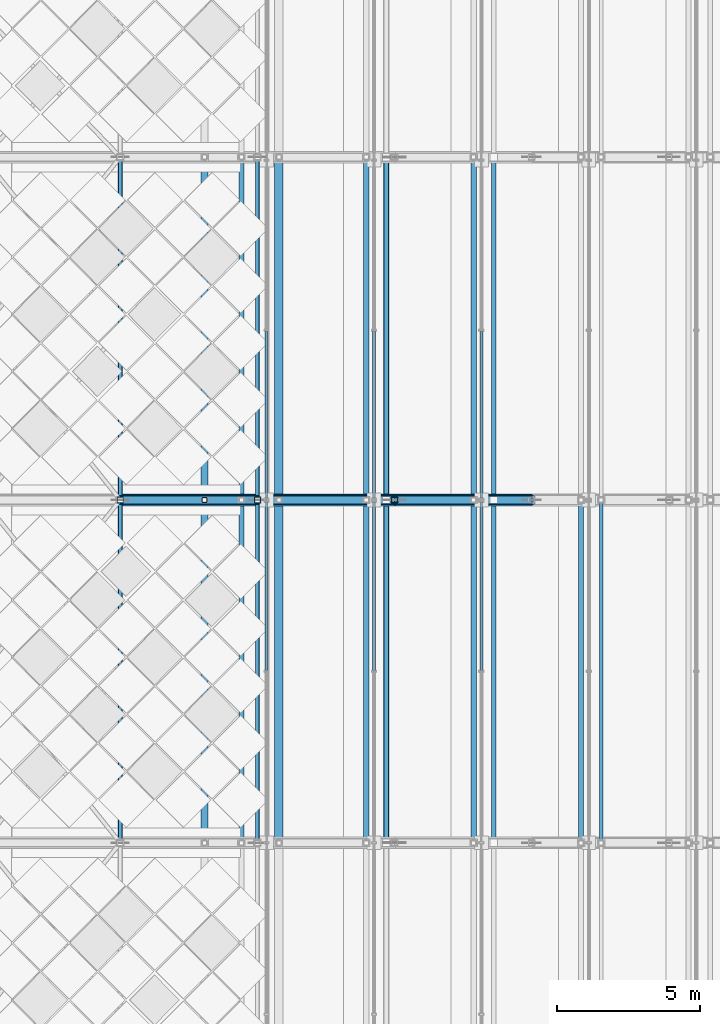
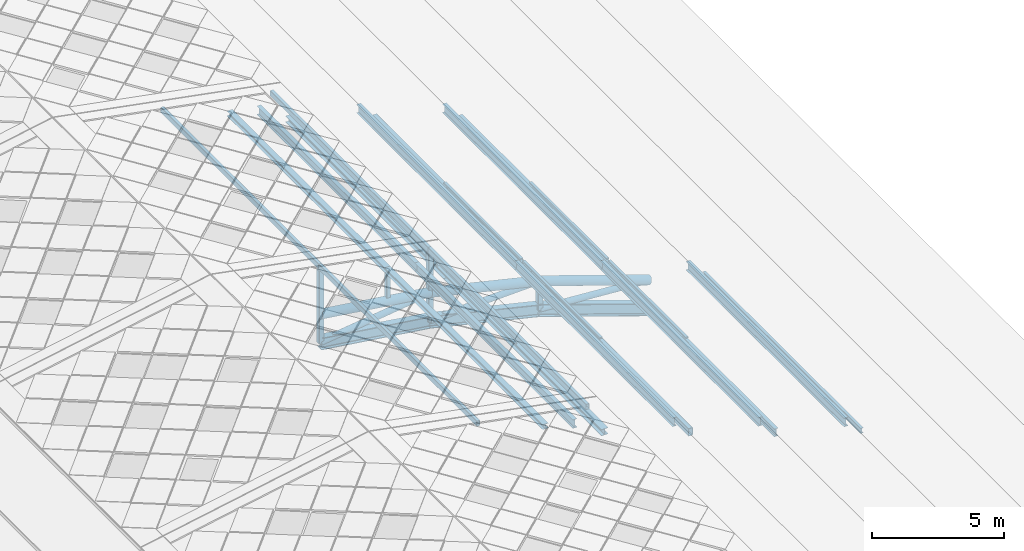
# One storey, part 29 of 117: 45 members, 6 elements without a shape of their own.
"""IFC4 building model written with IfcOpenShell, lengths in metres."""

import ifcopenshell
import ifcopenshell.guid

model = None  # the IFC model being written
_history = None  # IfcOwnerHistory: only IFC2X3 demands one
_inside = {}  # id of a spatial element -> (the spatial element, [elements in it])
_under = {}  # id of a project, library or spatial element -> (it, [spatial elements below it])
_declared = {}  # id of a project -> (the project, [libraries it declares])
_typed = {}  # id of a type object -> (the type object, [elements of that type])
_made_of = {}  # id of a material, layer set ... -> (it, [elements and type objects made of it])


def new_model(schema):
    """Start an empty IFC model of exactly this schema.

    Asked for "IFC4X3", IfcOpenShell would pick the latest addendum, in which some entities
    have other attributes; the version numbers below select the first issue.
    IFC2X3 requires an IfcOwnerHistory on every rooted entity: one is made here for all.
    """
    global model, _history
    if schema == "IFC4X3":
        model = ifcopenshell.file(schema_version=(4, 3, 0, 0))
    else:
        model = ifcopenshell.file(schema=schema)
    _inside.clear()
    _under.clear()
    _declared.clear()
    _typed.clear()
    _made_of.clear()
    _history = None
    if model.schema == "IFC2X3":
        org = make("IfcOrganization", Name="unknown")
        user = make(
            "IfcPersonAndOrganization",
            ThePerson=make("IfcPerson", FamilyName="unknown"),
            TheOrganization=org,
        )
        app = make(
            "IfcApplication",
            ApplicationDeveloper=org,
            Version="unknown",
            ApplicationFullName="unknown",
            ApplicationIdentifier="unknown",
        )
        _history = make(
            "IfcOwnerHistory",
            OwningUser=user,
            OwningApplication=app,
            ChangeAction="ADDED",
            CreationDate=0,
        )
    return model


def make(cls, **values):
    """One entity of the class cls with the attributes given. An attribute that is None is left unset."""
    return model.create_entity(
        cls, **{name: value for name, value in values.items() if value is not None}
    )


def rooted(cls, **values):
    """An entity with a GlobalId (a new one), such as an element, a storey or a relation."""
    return make(cls, GlobalId=ifcopenshell.guid.new(), OwnerHistory=_history, **values)


def si_unit(unit_type, name, prefix=None):
    """IfcSIUnit, for example si_unit("LENGTHUNIT", "METRE", prefix="MILLI")."""
    return make("IfcSIUnit", UnitType=unit_type, Prefix=prefix, Name=name)


def assignment(units):
    """IfcUnitAssignment: the units of a project."""
    return None if units is None else make("IfcUnitAssignment", Units=units)


def point(xyz):
    """IfcCartesianPoint."""
    return None if xyz is None else make("IfcCartesianPoint", Coordinates=xyz)


def direction(xyz):
    """IfcDirection."""
    return None if xyz is None else make("IfcDirection", DirectionRatios=xyz)


def frame(location, z_axis=None, x_axis=None):
    """IfcAxis2Placement3D, a coordinate frame: its origin and axes. An axis left out is left unset."""
    return make(
        "IfcAxis2Placement3D",
        Location=point(location),
        Axis=direction(z_axis),
        RefDirection=direction(x_axis),
    )


def frame_2d(location, x_axis=None):
    """IfcAxis2Placement2D, a coordinate frame in the plane: its origin and x axis."""
    return make(
        "IfcAxis2Placement2D", Location=point(location), RefDirection=direction(x_axis)
    )


def origin():
    """The frame at (0, 0, 0) with its axes left unset."""
    return frame((0.0, 0.0, 0.0))


def origin_2d():
    """The frame at (0, 0) in the plane with its x axis left unset."""
    return frame_2d((0.0, 0.0))


def place(relative_to, where):
    """IfcLocalPlacement: puts the frame where relative to a parent placement (None: the world)."""
    return make(
        "IfcLocalPlacement", PlacementRelTo=relative_to, RelativePlacement=where
    )


def context(
    kind, dimensions, precision=None, world=None, true_north=None, identifier=None
):
    """IfcGeometricRepresentationContext, for example the 3D "Model" context."""
    return make(
        "IfcGeometricRepresentationContext",
        ContextIdentifier=identifier,
        ContextType=kind,
        CoordinateSpaceDimension=dimensions,
        Precision=precision,
        WorldCoordinateSystem=world,
        TrueNorth=true_north,
    )


def subcontext(parent, identifier, kind, view, scale=None):
    """IfcGeometricRepresentationSubContext, for example "Body" below "Model"."""
    return make(
        "IfcGeometricRepresentationSubContext",
        ContextIdentifier=identifier,
        ContextType=kind,
        ParentContext=parent,
        TargetScale=scale,
        TargetView=view,
    )


def project(units=None, contexts=None):
    """IfcProject with its units and contexts."""
    return rooted(
        "IfcProject",
        Name="project",
        RepresentationContexts=contexts,
        UnitsInContext=assignment(units),
    )


def spatial(cls, under=None, at=None, **own):
    """A site, building, storey or space (cls), placed at a placement, below another one or the project."""
    s = rooted(cls, ObjectPlacement=at, **own)
    if under is not None:
        _under.setdefault(under.id(), (under, []))[1].append(s)
    return s


def profile(cls, at=None, kind="AREA", **sizes):
    """A parametric profile (cls). Its sizes go by their IFC names, for example OverallWidth=200.0."""
    return make(cls, ProfileType=kind, Position=at, **sizes)


def hollow_rectangle(**sizes):
    """IfcRectangleHollowProfileDef."""
    return profile("IfcRectangleHollowProfileDef", **sizes)


def hollow_circle(**sizes):
    """IfcCircleHollowProfileDef."""
    return profile("IfcCircleHollowProfileDef", **sizes)


def i_section(**sizes):
    """IfcIShapeProfileDef."""
    return profile("IfcIShapeProfileDef", **sizes)


def extrude(swept, where, along, depth):
    """IfcExtrudedAreaSolid: the profile swept, set in the frame where, extruded along a direction by depth."""
    return make(
        "IfcExtrudedAreaSolid",
        SweptArea=swept,
        Position=where,
        ExtrudedDirection=direction(along),
        Depth=depth,
    )


def shape(context_of_items, identifier, shape_type, items):
    """IfcShapeRepresentation: the items that make up one representation, for example the "Body"."""
    return make(
        "IfcShapeRepresentation",
        ContextOfItems=context_of_items,
        RepresentationIdentifier=identifier,
        RepresentationType=shape_type,
        Items=items,
    )


def material(Name=None, Category=None):
    """IfcMaterial."""
    return make("IfcMaterial", Name=Name, Category=Category)


def material_profile(
    of_material, cross_section, Name=None, Category=None, Priority=None
):
    """IfcMaterialProfile: a cross section and its material."""
    return make(
        "IfcMaterialProfile",
        Name=Name,
        Material=of_material,
        Profile=cross_section,
        Priority=Priority,
        Category=Category,
    )


def profile_set(profiles, Name=None, composite=None):
    """IfcMaterialProfileSet."""
    return make(
        "IfcMaterialProfileSet",
        Name=Name,
        MaterialProfiles=profiles,
        CompositeProfile=composite,
    )


def made_of(thing, what):
    """Note that an element or type object is made of a material, layer set ...; save() writes the relation."""
    if what is not None:
        _made_of.setdefault(what.id(), (what, []))[1].append(thing)
    return thing


def type_object(cls, material=None, **own):
    """A type object (cls), such as IfcWallType, which elements share."""
    return made_of(rooted(cls, **own), material)


def element(
    cls,
    number,
    at=None,
    inside=None,
    cuts=None,
    type_object=None,
    material=None,
    context=None,
    identifier="Body",
    shape_type=None,
    held_by="IfcProductDefinitionShape",
    body=None,
    shapes=None,
    **own,
):
    """One element of the class cls, such as IfcWall. Its Tag is "e" and its number.

    at: its placement. inside: the storey or other place that contains it. cuts: it is an
    opening in that element (IfcRelVoidsElement). A single representation is given by context,
    identifier, shape_type and body (its items); several are given by shapes. held_by: the class
    of the entity that holds the representations. save() writes the other relations.
    """
    e = rooted(cls, Tag="e%d" % number, ObjectPlacement=at, **own)
    if body is not None:
        shapes = [shape(context, identifier, shape_type, body)]
    if shapes is not None:
        e.Representation = make(held_by, Representations=shapes)
    if inside is not None:
        _inside.setdefault(inside.id(), (inside, []))[1].append(e)
    if cuts is not None:
        rooted(
            "IfcRelVoidsElement", RelatingBuildingElement=cuts, RelatedOpeningElement=e
        )
    if type_object is not None:
        _typed.setdefault(type_object.id(), (type_object, []))[1].append(e)
    return made_of(e, material)


def aggregate(whole, parts):
    """IfcRelAggregates: a whole, such as a stair, and the parts it consists of."""
    return rooted("IfcRelAggregates", RelatingObject=whole, RelatedObjects=parts)


def save(model, path):
    """Write the relations noted so far, then the file.

    IfcRelAggregates (storeys below a building ...), IfcRelContainedInSpatialStructure (elements
    in a storey), IfcRelDefinesByType, IfcRelAssociatesMaterial and IfcRelDeclares: one each for
    every whole, place, type object, material and project.
    """
    for whole, parts in _under.values():
        aggregate(whole, parts)
    for where, things in _inside.values():
        rooted(
            "IfcRelContainedInSpatialStructure",
            RelatedElements=things,
            RelatingStructure=where,
        )
    for kind, things in _typed.values():
        rooted("IfcRelDefinesByType", RelatedObjects=things, RelatingType=kind)
    for what, things in _made_of.values():
        rooted("IfcRelAssociatesMaterial", RelatedObjects=things, RelatingMaterial=what)
    for by, libraries in _declared.values():
        rooted("IfcRelDeclares", RelatingContext=by, RelatedDefinitions=libraries)
    model.write(path)


model = new_model("IFC4")

# Units and contexts
model_context = context("Model", 3, precision=1e-05, world=origin(), true_north=direction((0.0, 1.0)))
body_context = subcontext(model_context, "Body", "Model", "MODEL_VIEW")
ifc_project = project(units=[si_unit("LENGTHUNIT", "METRE"), si_unit("AREAUNIT", "SQUARE_METRE"), si_unit("VOLUMEUNIT", "CUBIC_METRE"), si_unit("PLANEANGLEUNIT", "RADIAN"), si_unit("MASSUNIT", "GRAM", prefix="KILO")], contexts=[model_context])

# Site, building, storey
site_placement = place(None, origin())
site = spatial("IfcSite", under=ifc_project, at=site_placement, CompositionType="ELEMENT")
building_placement = place(site_placement, origin())
building = spatial("IfcBuilding", under=site, at=building_placement, Name="Merenkruunu Market Hall", CompositionType="ELEMENT")
storey_placement = place(building_placement, frame((0.0, 0.0, 22.800048828125)))
storey = spatial("IfcBuildingStorey", under=building, at=storey_placement, Name="RF", CompositionType="ELEMENT", Elevation=22.800048828125)

# Members
ifc_material_1 = material(Name="Steel S355ML", Category="steel")
ifc_material_profile_1 = material_profile(ifc_material_1, hollow_circle(Radius=0.203125, WallThickness=0.01611328125, at=origin_2d()), Name="CHS 406.4x16")
ifc_profile_set_1 = profile_set([ifc_material_profile_1], Name="Steel S355ML")
member_type_1 = type_object("IfcMemberType", Name="Arch Truss Chord TC02", PredefinedType="CHORD", material=ifc_profile_set_1)
member_1_placement = place(storey_placement, frame((33.60009765625, 87.60009765625, -1.66796875), z_axis=(0.99033759622, 0.0, -0.138677487406), x_axis=(0.0, 1.0, 0.0)))
element("IfcMember", 1, at=member_1_placement, inside=storey, type_object=member_type_1, Name="TRUSS-AT-7-TOP-08", PredefinedType="CHORD", context=body_context, shape_type="SweptSolid", body=[
    extrude(hollow_circle(Radius=0.203125, WallThickness=0.01611328125, at=origin_2d()), origin(), (0.0, 0.0, 1.0), 4.8466796875),
])
member_2_placement = place(storey_placement, frame((38.39990234375, 87.60009765625, -2.340087890625), z_axis=(0.972941974064, 0.0, -0.231049594471), x_axis=(0.0, 1.0, 0.0)))
element("IfcMember", 2, at=member_2_placement, inside=storey, type_object=member_type_1, Name="TRUSS-AT-7-TOP-09", PredefinedType="CHORD", context=body_context, shape_type="SweptSolid", body=[
    extrude(hollow_circle(Radius=0.203125, WallThickness=0.01611328125, at=origin_2d()), origin(), (0.0, 0.0, 1.0), 4.93359375),
])
member_3_placement = place(storey_placement, frame((43.199951171875, 87.60009765625, -3.47998046875), z_axis=(0.946224865418, 0.0, -0.323509666107), x_axis=(0.0, 1.0, 0.0)))
element("IfcMember", 3, at=member_3_placement, inside=storey, type_object=member_type_1, Name="TRUSS-AT-7-TOP-10", PredefinedType="CHORD", context=body_context, shape_type="SweptSolid", body=[
    extrude(hollow_circle(Radius=0.203125, WallThickness=0.01611328125, at=origin_2d()), origin(), (0.0, 0.0, 1.0), 5.07275390625),
])
ifc_material_profile_2 = material_profile(ifc_material_1, i_section(OverallWidth=0.300048828125, OverallDepth=0.550048828125, WebThickness=0.014892578125, FlangeThickness=0.029052734375, FilletRadius=0.027099609375, at=origin_2d()), Name="HEB 550")
ifc_profile_set_2 = profile_set([ifc_material_profile_2], Name="Steel S355ML")
member_type_2 = type_object("IfcMemberType", Name="Arch Truss Chord TC03", PredefinedType="CHORD", material=ifc_profile_set_2)
member_4_placement = place(storey_placement, frame((33.60009765625, 87.60009765625, -2.968017578125), z_axis=(0.99033759622, 0.0, -0.138677487406), x_axis=(0.0, 1.0, 0.0)))
element("IfcMember", 4, at=member_4_placement, inside=storey, type_object=member_type_2, Name="TRUSS-AT-7-BOT-08", PredefinedType="CHORD", context=body_context, shape_type="SweptSolid", body=[
    extrude(i_section(OverallWidth=0.300048828125, OverallDepth=0.550048828125, WebThickness=0.014892578125, FlangeThickness=0.029052734375, FilletRadius=0.027099609375, at=origin_2d()), origin(), (0.0, 0.0, 1.0), 4.8466796875),
])
member_5_placement = place(storey_placement, frame((38.39990234375, 87.60009765625, -3.64013671875), z_axis=(0.972941974064, 0.0, -0.231049594471), x_axis=(0.0, 1.0, 0.0)))
element("IfcMember", 5, at=member_5_placement, inside=storey, type_object=member_type_2, Name="TRUSS-AT-7-BOT-09", PredefinedType="CHORD", context=body_context, shape_type="SweptSolid", body=[
    extrude(i_section(OverallWidth=0.300048828125, OverallDepth=0.550048828125, WebThickness=0.014892578125, FlangeThickness=0.029052734375, FilletRadius=0.027099609375, at=origin_2d()), origin(), (0.0, 0.0, 1.0), 4.93359375),
])
member_6_placement = place(storey_placement, frame((43.199951171875, 87.60009765625, -4.780029296875), z_axis=(0.946224865418, 0.0, -0.323509666107), x_axis=(0.0, 1.0, 0.0)))
element("IfcMember", 6, at=member_6_placement, inside=storey, type_object=member_type_2, Name="TRUSS-AT-7-BOT-10", PredefinedType="CHORD", context=body_context, shape_type="SweptSolid", body=[
    extrude(i_section(OverallWidth=0.300048828125, OverallDepth=0.550048828125, WebThickness=0.014892578125, FlangeThickness=0.029052734375, FilletRadius=0.027099609375, at=origin_2d()), origin(), (0.0, 0.0, 1.0), 5.07275390625),
])

# Curtain wall, members
ifc_material_2 = material(Name="Powder-coated aluminium", Category="aluminium")
curtain_wall_type = type_object("IfcCurtainWallType", Name="Clerestory Curtain Band CL05", PredefinedType="USERDEFINED", material=ifc_material_2)
curtain_wall_1_placement = place(storey_placement, origin())
curtain_wall_1 = element("IfcCurtainWall", 7, at=curtain_wall_1_placement, inside=storey, type_object=curtain_wall_type, Name="CW-RF-CWM04-102", ObjectType="CLERESTORY_BAND", PredefinedType="USERDEFINED")
ifc_material_profile_3 = material_profile(ifc_material_2, hollow_rectangle(XDim=0.06005859375, YDim=0.110107421875, WallThickness=0.00390625, at=origin_2d()), Name="ALU 60x110x4")
ifc_profile_set_3 = profile_set([ifc_material_profile_3], Name="Powder-coated aluminium")
member_type_3 = type_object("IfcMemberType", Name="Curtain Wall Transom CWT03", PredefinedType="USERDEFINED", material=ifc_profile_set_3)
member_7_placement = place(storey_placement, frame((46.239990234375, 87.530029296875, -3.85205078125), z_axis=(0.0, -1.0, 0.0), x_axis=(0.0, 0.0, 1.0)))
member_7 = element("IfcMember", 8, at=member_7_placement, type_object=member_type_3, Name="CL05 transom 1.1", ObjectType="TRANSOM", PredefinedType="USERDEFINED", context=body_context, shape_type="SweptSolid", body=[
    extrude(hollow_rectangle(XDim=0.06005859375, YDim=0.110107421875, WallThickness=0.00390625, at=origin_2d()), origin(), (0.0, 0.0, 1.0), 5.89501953125),
])
member_8_placement = place(storey_placement, frame((46.239990234375, 87.530029296875, -3.56396484375), z_axis=(0.0, -1.0, 0.0), x_axis=(0.0, 0.0, 1.0)))
member_8 = element("IfcMember", 9, at=member_8_placement, type_object=member_type_3, Name="CL05 transom 1.2", ObjectType="TRANSOM", PredefinedType="USERDEFINED", context=body_context, shape_type="SweptSolid", body=[
    extrude(hollow_rectangle(XDim=0.06005859375, YDim=0.110107421875, WallThickness=0.00390625, at=origin_2d()), origin(), (0.0, 0.0, 1.0), 5.89501953125),
])
aggregate(curtain_wall_1, [member_7, member_8])

curtain_wall_2_placement = place(storey_placement, origin())
curtain_wall_2 = element("IfcCurtainWall", 10, at=curtain_wall_2_placement, inside=storey, type_object=curtain_wall_type, Name="CW-RF-CWM04-104", ObjectType="CLERESTORY_BAND", PredefinedType="USERDEFINED")
member_9_placement = place(storey_placement, frame((46.239990234375, 93.514892578125, -3.85205078125), z_axis=(0.0, -1.0, 0.0), x_axis=(0.0, 0.0, 1.0)))
member_9 = element("IfcMember", 11, at=member_9_placement, type_object=member_type_3, Name="CL05 transom 4.1", ObjectType="TRANSOM", PredefinedType="USERDEFINED", context=body_context, shape_type="SweptSolid", body=[
    extrude(hollow_rectangle(XDim=0.06005859375, YDim=0.110107421875, WallThickness=0.00390625, at=origin_2d()), origin(), (0.0, 0.0, 1.0), 5.844970703125),
])
member_10_placement = place(storey_placement, frame((46.239990234375, 93.514892578125, -3.56396484375), z_axis=(0.0, -1.0, 0.0), x_axis=(0.0, 0.0, 1.0)))
member_10 = element("IfcMember", 12, at=member_10_placement, type_object=member_type_3, Name="CL05 transom 4.2", ObjectType="TRANSOM", PredefinedType="USERDEFINED", context=body_context, shape_type="SweptSolid", body=[
    extrude(hollow_rectangle(XDim=0.06005859375, YDim=0.110107421875, WallThickness=0.00390625, at=origin_2d()), origin(), (0.0, 0.0, 1.0), 5.844970703125),
])
aggregate(curtain_wall_2, [member_9, member_10])

curtain_wall_3_placement = place(storey_placement, origin())
curtain_wall_3 = element("IfcCurtainWall", 13, at=curtain_wall_3_placement, inside=storey, type_object=curtain_wall_type, Name="CW-RF-CWM04-110", ObjectType="CLERESTORY_BAND", PredefinedType="USERDEFINED")
member_11_placement = place(storey_placement, frame((42.47998046875, 87.530029296875, -2.531982421875), z_axis=(0.0, -1.0, 0.0), x_axis=(0.0, 0.0, 1.0)))
member_11 = element("IfcMember", 14, at=member_11_placement, type_object=member_type_3, Name="CL05 transom 1.1", ObjectType="TRANSOM", PredefinedType="USERDEFINED", context=body_context, shape_type="SweptSolid", body=[
    extrude(hollow_rectangle(XDim=0.06005859375, YDim=0.110107421875, WallThickness=0.00390625, at=origin_2d()), origin(), (0.0, 0.0, 1.0), 5.89501953125),
])
member_12_placement = place(storey_placement, frame((42.47998046875, 87.530029296875, -2.26513671875), z_axis=(0.0, -1.0, 0.0), x_axis=(0.0, 0.0, 1.0)))
member_12 = element("IfcMember", 15, at=member_12_placement, type_object=member_type_3, Name="CL05 transom 1.2", ObjectType="TRANSOM", PredefinedType="USERDEFINED", context=body_context, shape_type="SweptSolid", body=[
    extrude(hollow_rectangle(XDim=0.06005859375, YDim=0.110107421875, WallThickness=0.00390625, at=origin_2d()), origin(), (0.0, 0.0, 1.0), 5.89501953125),
])
aggregate(curtain_wall_3, [member_11, member_12])

curtain_wall_4_placement = place(storey_placement, origin())
curtain_wall_4 = element("IfcCurtainWall", 16, at=curtain_wall_4_placement, inside=storey, type_object=curtain_wall_type, Name="CW-RF-CWM04-112", ObjectType="CLERESTORY_BAND", PredefinedType="USERDEFINED")
member_13_placement = place(storey_placement, frame((42.47998046875, 93.514892578125, -2.531982421875), z_axis=(0.0, -1.0, 0.0), x_axis=(0.0, 0.0, 1.0)))
member_13 = element("IfcMember", 17, at=member_13_placement, type_object=member_type_3, Name="CL05 transom 4.1", ObjectType="TRANSOM", PredefinedType="USERDEFINED", context=body_context, shape_type="SweptSolid", body=[
    extrude(hollow_rectangle(XDim=0.06005859375, YDim=0.110107421875, WallThickness=0.00390625, at=origin_2d()), origin(), (0.0, 0.0, 1.0), 5.844970703125),
])
member_14_placement = place(storey_placement, frame((42.47998046875, 93.514892578125, -2.26513671875), z_axis=(0.0, -1.0, 0.0), x_axis=(0.0, 0.0, 1.0)))
member_14 = element("IfcMember", 18, at=member_14_placement, type_object=member_type_3, Name="CL05 transom 4.2", ObjectType="TRANSOM", PredefinedType="USERDEFINED", context=body_context, shape_type="SweptSolid", body=[
    extrude(hollow_rectangle(XDim=0.06005859375, YDim=0.110107421875, WallThickness=0.00390625, at=origin_2d()), origin(), (0.0, 0.0, 1.0), 5.844970703125),
])
aggregate(curtain_wall_4, [member_13, member_14])

curtain_wall_5_placement = place(storey_placement, origin())
curtain_wall_5 = element("IfcCurtainWall", 19, at=curtain_wall_5_placement, inside=storey, type_object=curtain_wall_type, Name="CW-RF-CWM04-118", ObjectType="CLERESTORY_BAND", PredefinedType="USERDEFINED")
member_15_placement = place(storey_placement, frame((38.719970703125, 87.530029296875, -1.212158203125), z_axis=(0.0, -1.0, 0.0), x_axis=(0.0, 0.0, 1.0)))
member_15 = element("IfcMember", 20, at=member_15_placement, type_object=member_type_3, Name="CL05 transom 1.1", ObjectType="TRANSOM", PredefinedType="USERDEFINED", context=body_context, shape_type="SweptSolid", body=[
    extrude(hollow_rectangle(XDim=0.06005859375, YDim=0.110107421875, WallThickness=0.00390625, at=origin_2d()), origin(), (0.0, 0.0, 1.0), 5.89501953125),
])
member_16_placement = place(storey_placement, frame((38.719970703125, 87.530029296875, -0.924072265625), z_axis=(0.0, -1.0, 0.0), x_axis=(0.0, 0.0, 1.0)))
member_16 = element("IfcMember", 21, at=member_16_placement, type_object=member_type_3, Name="CL05 transom 1.2", ObjectType="TRANSOM", PredefinedType="USERDEFINED", context=body_context, shape_type="SweptSolid", body=[
    extrude(hollow_rectangle(XDim=0.06005859375, YDim=0.110107421875, WallThickness=0.00390625, at=origin_2d()), origin(), (0.0, 0.0, 1.0), 5.89501953125),
])
aggregate(curtain_wall_5, [member_15, member_16])

curtain_wall_6_placement = place(storey_placement, origin())
curtain_wall_6 = element("IfcCurtainWall", 22, at=curtain_wall_6_placement, inside=storey, type_object=curtain_wall_type, Name="CW-RF-CWM04-120", ObjectType="CLERESTORY_BAND", PredefinedType="USERDEFINED")
member_17_placement = place(storey_placement, frame((38.719970703125, 93.514892578125, -1.212158203125), z_axis=(0.0, -1.0, 0.0), x_axis=(0.0, 0.0, 1.0)))
member_17 = element("IfcMember", 23, at=member_17_placement, type_object=member_type_3, Name="CL05 transom 4.1", ObjectType="TRANSOM", PredefinedType="USERDEFINED", context=body_context, shape_type="SweptSolid", body=[
    extrude(hollow_rectangle(XDim=0.06005859375, YDim=0.110107421875, WallThickness=0.00390625, at=origin_2d()), origin(), (0.0, 0.0, 1.0), 5.844970703125),
])
member_18_placement = place(storey_placement, frame((38.719970703125, 93.514892578125, -0.924072265625), z_axis=(0.0, -1.0, 0.0), x_axis=(0.0, 0.0, 1.0)))
member_18 = element("IfcMember", 24, at=member_18_placement, type_object=member_type_3, Name="CL05 transom 4.2", ObjectType="TRANSOM", PredefinedType="USERDEFINED", context=body_context, shape_type="SweptSolid", body=[
    extrude(hollow_rectangle(XDim=0.06005859375, YDim=0.110107421875, WallThickness=0.00390625, at=origin_2d()), origin(), (0.0, 0.0, 1.0), 5.844970703125),
])
aggregate(curtain_wall_6, [member_17, member_18])

# Members
ifc_material_profile_4 = material_profile(ifc_material_1, hollow_circle(Radius=0.136474609375, WallThickness=0.012451171875, at=origin_2d()), Name="CHS 273x12.5")
ifc_profile_set_4 = profile_set([ifc_material_profile_4], Name="Steel S355ML")
member_type_4 = type_object("IfcMemberType", Name="Diagonal Sway Brace BR02", PredefinedType="BRACE", material=ifc_profile_set_4)
member_19_placement = place(storey_placement, frame((33.60009765625, 87.60009765625, -2.968017578125), z_axis=(0.99155084109, 0.0, 0.129718655304), x_axis=(0.0, 1.0, 0.0)))
element("IfcMember", 25, at=member_19_placement, inside=storey, type_object=member_type_4, Name="TRUSS-AT-7-DIAG-08", PredefinedType="BRACE", context=body_context, shape_type="SweptSolid", body=[
    extrude(hollow_circle(Radius=0.136474609375, WallThickness=0.012451171875, at=origin_2d()), origin(), (0.0, 0.0, 1.0), 4.8408203125),
])
member_20_placement = place(storey_placement, frame((38.39990234375, 87.60009765625, -3.64013671875), z_axis=(0.999443834494, 0.0, 0.033346989239), x_axis=(0.0, 1.0, 0.0)))
element("IfcMember", 26, at=member_20_placement, inside=storey, type_object=member_type_4, Name="TRUSS-AT-7-DIAG-09", PredefinedType="BRACE", context=body_context, shape_type="SweptSolid", body=[
    extrude(hollow_circle(Radius=0.136474609375, WallThickness=0.012451171875, at=origin_2d()), origin(), (0.0, 0.0, 1.0), 4.802734375),
])
member_21_placement = place(storey_placement, frame((43.199951171875, 87.60009765625, -4.780029296875), z_axis=(0.997485156704, 0.0, -0.070875680989), x_axis=(0.0, 1.0, 0.0)))
element("IfcMember", 27, at=member_21_placement, inside=storey, type_object=member_type_4, Name="TRUSS-AT-7-DIAG-10", PredefinedType="BRACE", context=body_context, shape_type="SweptSolid", body=[
    extrude(hollow_circle(Radius=0.136474609375, WallThickness=0.012451171875, at=origin_2d()), origin(), (0.0, 0.0, 1.0), 4.812255859375),
])
ifc_material_3 = material(Name="Steel S355J2", Category="steel")
ifc_material_profile_5 = material_profile(ifc_material_3, hollow_rectangle(XDim=0.219970703125, YDim=0.219970703125, WallThickness=0.012451171875, InnerFilletRadius=0.012451171875, OuterFilletRadius=0.02490234375, at=origin_2d()), Name="SHS 220x220x12.5")
ifc_profile_set_5 = profile_set([ifc_material_profile_5], Name="Steel S355J2")
member_type_5 = type_object("IfcMemberType", Name="Diagonal Sway Brace BR04", PredefinedType="BRACE", material=ifc_profile_set_5)
member_22_placement = place(storey_placement, frame((33.60009765625, 87.60009765625, -2.968017578125), z_axis=(0.0, 0.0, 1.0), x_axis=(1.0, 0.0, 0.0)))
element("IfcMember", 28, at=member_22_placement, inside=storey, type_object=member_type_5, Name="TRUSS-AT-7-POST-07", PredefinedType="BRACE", context=body_context, shape_type="SweptSolid", body=[
    extrude(hollow_rectangle(XDim=0.219970703125, YDim=0.219970703125, WallThickness=0.012451171875, InnerFilletRadius=0.012451171875, OuterFilletRadius=0.02490234375, at=origin_2d()), origin(), (0.0, 0.0, 1.0), 3.3720703125),
])
member_23_placement = place(storey_placement, frame((38.39990234375, 87.60009765625, -3.64013671875), z_axis=(0.0, 0.0, 1.0), x_axis=(1.0, 0.0, 0.0)))
element("IfcMember", 29, at=member_23_placement, inside=storey, type_object=member_type_5, Name="TRUSS-AT-7-POST-08", PredefinedType="BRACE", context=body_context, shape_type="SweptSolid", body=[
    extrude(hollow_rectangle(XDim=0.219970703125, YDim=0.219970703125, WallThickness=0.012451171875, InnerFilletRadius=0.012451171875, OuterFilletRadius=0.02490234375, at=origin_2d()), origin(), (0.0, 0.0, 1.0), 3.1416015625),
])
member_24_placement = place(storey_placement, frame((43.199951171875, 87.60009765625, -4.780029296875), z_axis=(0.0, 0.0, 1.0), x_axis=(1.0, 0.0, 0.0)))
element("IfcMember", 30, at=member_24_placement, inside=storey, type_object=member_type_5, Name="TRUSS-AT-7-POST-09", PredefinedType="BRACE", context=body_context, shape_type="SweptSolid", body=[
    extrude(hollow_rectangle(XDim=0.219970703125, YDim=0.219970703125, WallThickness=0.012451171875, InnerFilletRadius=0.012451171875, OuterFilletRadius=0.02490234375, at=origin_2d()), origin(), (0.0, 0.0, 1.0), 1.300048828125),
])
ifc_material_profile_6 = material_profile(ifc_material_3, hollow_rectangle(XDim=0.179931640625, YDim=0.179931640625, WallThickness=0.010009765625, InnerFilletRadius=0.010009765625, OuterFilletRadius=0.02001953125, at=origin_2d()), Name="SHS 180x180x10")
ifc_profile_set_6 = profile_set([ifc_material_profile_6], Name="Steel S355J2")
member_type_6 = type_object("IfcMemberType", Name="Diagonal Sway Brace BR05", PredefinedType="BRACE", material=ifc_profile_set_6)
member_25_placement = place(storey_placement, frame((36.550048828125, 87.60009765625, -1.889892578125), z_axis=(0.0, 0.0, 1.0), x_axis=(1.0, 0.0, 0.0)))
element("IfcMember", 31, at=member_25_placement, inside=storey, type_object=member_type_6, Name="TRUSS-AT-7-RISER-E6-2", PredefinedType="BRACE", context=body_context, shape_type="SweptSolid", body=[
    extrude(hollow_rectangle(XDim=0.179931640625, YDim=0.179931640625, WallThickness=0.010009765625, InnerFilletRadius=0.010009765625, OuterFilletRadius=0.02001953125, at=origin_2d()), origin(), (0.0, 0.0, 1.0), 1.12841796875),
])
ifc_material_profile_7 = material_profile(ifc_material_1, i_section(OverallWidth=0.1201171875, OverallDepth=0.239990234375, WebThickness=0.006103515625, FlangeThickness=0.009765625, FilletRadius=0.014892578125, at=origin_2d()), Name="IPE 240")
ifc_profile_set_7 = profile_set([ifc_material_profile_7], Name="Steel S355ML")
member_type_7 = type_object("IfcMemberType", Name="Roof Purlin Rafter PR02", PredefinedType="PURLIN", material=ifc_profile_set_7)
member_26_placement = place(storey_placement, frame((50.429931640625, 75.60009765625, -5.687255859375), z_axis=(0.0, 1.0, 0.0), x_axis=(-1.0, 0.0, 0.0)))
element("IfcMember", 32, at=member_26_placement, inside=storey, type_object=member_type_7, Name="MEM-RF-PURL-E-060", PredefinedType="PURLIN", context=body_context, shape_type="SweptSolid", body=[
    extrude(i_section(OverallWidth=0.1201171875, OverallDepth=0.239990234375, WebThickness=0.006103515625, FlangeThickness=0.009765625, FilletRadius=0.014892578125, at=origin_2d()), origin(), (0.0, 0.0, 1.0), 12.0),
])
ifc_material_profile_8 = material_profile(ifc_material_1, i_section(OverallWidth=0.169921875, OverallDepth=0.360107421875, WebThickness=0.008056640625, FlangeThickness=0.0126953125, FilletRadius=0.01806640625, at=origin_2d()), Name="IPE 360")
ifc_profile_set_8 = profile_set([ifc_material_profile_8], Name="Steel S355ML")
member_type_8 = type_object("IfcMemberType", Name="Roof Purlin Rafter PR03", PredefinedType="PURLIN", material=ifc_profile_set_8)
for number, where, z_axis, x_axis, name in (
    (33, (46.669921875, 75.60009765625, -4.452392578125), (0.0, 1.0, 0.0), (-1.0, 0.0, 0.0), "MEM-RF-PURL-E-092"),
    (34, (46.669921875, 87.60009765625, -4.452392578125), (0.0, 1.0, 0.0), (-1.0, 0.0, 0.0), "MEM-RF-PURL-E-094"),
):
    element("IfcMember", number, at=place(storey_placement, frame(where, z_axis=z_axis, x_axis=x_axis)), inside=storey, type_object=member_type_8, Name=name, PredefinedType="PURLIN", context=body_context, shape_type="SweptSolid", body=[
        extrude(i_section(OverallWidth=0.169921875, OverallDepth=0.360107421875, WebThickness=0.008056640625, FlangeThickness=0.0126953125, FilletRadius=0.01806640625, at=origin_2d()), origin(), (0.0, 0.0, 1.0), 12.0),
    ])
ifc_material_profile_9 = material_profile(ifc_material_1, hollow_rectangle(XDim=0.14990234375, YDim=0.25, WallThickness=0.010009765625, InnerFilletRadius=0.010009765625, OuterFilletRadius=0.02001953125, at=origin_2d()), Name="RHS 250x150x10")
ifc_profile_set_9 = profile_set([ifc_material_profile_9], Name="Steel S355ML")
member_type_9 = type_object("IfcMemberType", Name="Roof Purlin Rafter PR04", PredefinedType="PURLIN", material=ifc_profile_set_9)
for number, where, z_axis, x_axis, name in (
    (35, (38.39990234375, 75.60009765625, -0.35546875), (0.0, 1.0, 0.0), (-1.0, 0.0, 0.0), "MEM-CROWN-EAVE-073"),
    (36, (33.60009765625, 75.60009765625, 0.546875), (0.0, 1.0, 0.0), (-1.0, 0.0, 0.0), "MEM-CROWN-MID-074"),
    (37, (38.39990234375, 87.60009765625, -0.35546875), (0.0, 1.0, 0.0), (-1.0, 0.0, 0.0), "MEM-CROWN-EAVE-086"),
    (38, (33.60009765625, 87.60009765625, 0.546875), (0.0, 1.0, 0.0), (-1.0, 0.0, 0.0), "MEM-CROWN-MID-087"),
):
    element("IfcMember", number, at=place(storey_placement, frame(where, z_axis=z_axis, x_axis=x_axis)), inside=storey, type_object=member_type_9, Name=name, PredefinedType="PURLIN", context=body_context, shape_type="SweptSolid", body=[
        extrude(hollow_rectangle(XDim=0.14990234375, YDim=0.25, WallThickness=0.010009765625, InnerFilletRadius=0.010009765625, OuterFilletRadius=0.02001953125, at=origin_2d()), origin(), (0.0, 0.0, 1.0), 12.0),
    ])
ifc_material_profile_10 = material_profile(ifc_material_1, hollow_rectangle(XDim=0.199951171875, YDim=0.35009765625, WallThickness=0.012451171875, InnerFilletRadius=0.012451171875, OuterFilletRadius=0.02490234375, at=origin_2d()), Name="RHS 350x200x12.5")
ifc_profile_set_10 = profile_set([ifc_material_profile_10], Name="Steel S355ML")
member_type_10 = type_object("IfcMemberType", Name="Roof Purlin Rafter PR06", PredefinedType="PURLIN", material=ifc_profile_set_10)
for number, where, z_axis, x_axis, name in (
    (39, (42.909912109375, 75.60009765625, -3.10986328125), (0.0, 1.0, 0.0), (-1.0, 0.0, 0.0), "MEM-RF-PURL-E-124"),
    (40, (42.909912109375, 87.60009765625, -3.10986328125), (0.0, 1.0, 0.0), (-1.0, 0.0, 0.0), "MEM-RF-PURL-E-126"),
):
    element("IfcMember", number, at=place(storey_placement, frame(where, z_axis=z_axis, x_axis=x_axis)), inside=storey, type_object=member_type_10, Name=name, PredefinedType="PURLIN", context=body_context, shape_type="SweptSolid", body=[
        extrude(hollow_rectangle(XDim=0.199951171875, YDim=0.35009765625, WallThickness=0.012451171875, InnerFilletRadius=0.012451171875, OuterFilletRadius=0.02490234375, at=origin_2d()), origin(), (0.0, 0.0, 1.0), 12.0),
    ])
ifc_material_profile_11 = material_profile(ifc_material_1, i_section(OverallWidth=0.300048828125, OverallDepth=0.2900390625, WebThickness=0.008544921875, FlangeThickness=0.013916015625, FilletRadius=0.027099609375, at=origin_2d()), Name="HEA 300")
ifc_profile_set_11 = profile_set([ifc_material_profile_11], Name="Steel S355ML")
member_type_11 = type_object("IfcMemberType", Name="Roof Purlin Rafter PR07", PredefinedType="PURLIN", material=ifc_profile_set_11)
for number, where, z_axis, x_axis, name in (
    (41, (39.14990234375, 75.60009765625, -1.789306640625), (0.0, 1.0, 0.0), (-1.0, 0.0, 0.0), "MEM-RF-PURL-E-156"),
    (42, (39.14990234375, 87.60009765625, -1.789306640625), (0.0, 1.0, 0.0), (-1.0, 0.0, 0.0), "MEM-RF-PURL-E-158"),
):
    element("IfcMember", number, at=place(storey_placement, frame(where, z_axis=z_axis, x_axis=x_axis)), inside=storey, type_object=member_type_11, Name=name, PredefinedType="PURLIN", context=body_context, shape_type="SweptSolid", body=[
        extrude(i_section(OverallWidth=0.300048828125, OverallDepth=0.2900390625, WebThickness=0.008544921875, FlangeThickness=0.013916015625, FilletRadius=0.027099609375, at=origin_2d()), origin(), (0.0, 0.0, 1.0), 12.0),
    ])
ifc_material_profile_12 = material_profile(ifc_material_1, i_section(OverallWidth=0.239990234375, OverallDepth=0.22998046875, WebThickness=0.007568359375, FlangeThickness=0.011962890625, FilletRadius=0.02099609375, at=origin_2d()), Name="HEA 240")
ifc_profile_set_12 = profile_set([ifc_material_profile_12], Name="Steel S355ML")
member_type_12 = type_object("IfcMemberType", Name="Roof Purlin Rafter PR08", PredefinedType="PURLIN", material=ifc_profile_set_12)
for number, where, z_axis, x_axis, name in (
    (43, (36.550048828125, 75.60009765625, -0.62841796875), (0.0, 1.0, 0.0), (-1.0, 0.0, 0.0), "MEM-RF-PURL-E-188"),
    (44, (36.550048828125, 87.60009765625, -0.62841796875), (0.0, 1.0, 0.0), (-1.0, 0.0, 0.0), "MEM-RF-PURL-E-190"),
):
    element("IfcMember", number, at=place(storey_placement, frame(where, z_axis=z_axis, x_axis=x_axis)), inside=storey, type_object=member_type_12, Name=name, PredefinedType="PURLIN", context=body_context, shape_type="SweptSolid", body=[
        extrude(i_section(OverallWidth=0.239990234375, OverallDepth=0.22998046875, WebThickness=0.007568359375, FlangeThickness=0.011962890625, FilletRadius=0.02099609375, at=origin_2d()), origin(), (0.0, 0.0, 1.0), 12.0),
    ])
ifc_material_profile_13 = material_profile(ifc_material_1, i_section(OverallWidth=0.179931640625, OverallDepth=0.39990234375, WebThickness=0.008544921875, FlangeThickness=0.013427734375, FilletRadius=0.02099609375, at=origin_2d()), Name="IPE 400")
ifc_profile_set_13 = profile_set([ifc_material_profile_13], Name="Steel S355ML")
member_type_13 = type_object("IfcMemberType", Name="Roof Purlin Rafter PR09", PredefinedType="PURLIN", material=ifc_profile_set_13)
for number, where, z_axis, x_axis, name in (
    (45, (49.72998046875, 75.60009765625, -5.040283203125), (0.0, 1.0, 0.0), (-1.0, 0.0, 0.0), "MEM-RF-PURL-E-076"),
    (46, (45.969970703125, 75.60009765625, -3.699951171875), (0.0, 1.0, 0.0), (-1.0, 0.0, 0.0), "MEM-RF-PURL-E-108"),
    (47, (45.969970703125, 87.60009765625, -3.699951171875), (0.0, 1.0, 0.0), (-1.0, 0.0, 0.0), "MEM-RF-PURL-E-110"),
    (48, (42.2099609375, 75.60009765625, -2.400390625), (0.0, 1.0, 0.0), (-1.0, 0.0, 0.0), "MEM-RF-PURL-E-140"),
    (49, (42.2099609375, 87.60009765625, -2.400390625), (0.0, 1.0, 0.0), (-1.0, 0.0, 0.0), "MEM-RF-PURL-E-142"),
    (50, (37.840087890625, 75.60009765625, -0.947021484375), (0.0, 1.0, 0.0), (-1.0, 0.0, 0.0), "MEM-RF-PURL-E-172"),
    (51, (37.840087890625, 87.60009765625, -0.947021484375), (0.0, 1.0, 0.0), (-1.0, 0.0, 0.0), "MEM-RF-PURL-E-174"),
):
    element("IfcMember", number, at=place(storey_placement, frame(where, z_axis=z_axis, x_axis=x_axis)), inside=storey, type_object=member_type_13, Name=name, PredefinedType="PURLIN", context=body_context, shape_type="SweptSolid", body=[
        extrude(i_section(OverallWidth=0.179931640625, OverallDepth=0.39990234375, WebThickness=0.008544921875, FlangeThickness=0.013427734375, FilletRadius=0.02099609375, at=origin_2d()), origin(), (0.0, 0.0, 1.0), 12.0),
    ])

save(model, "model.ifc")
